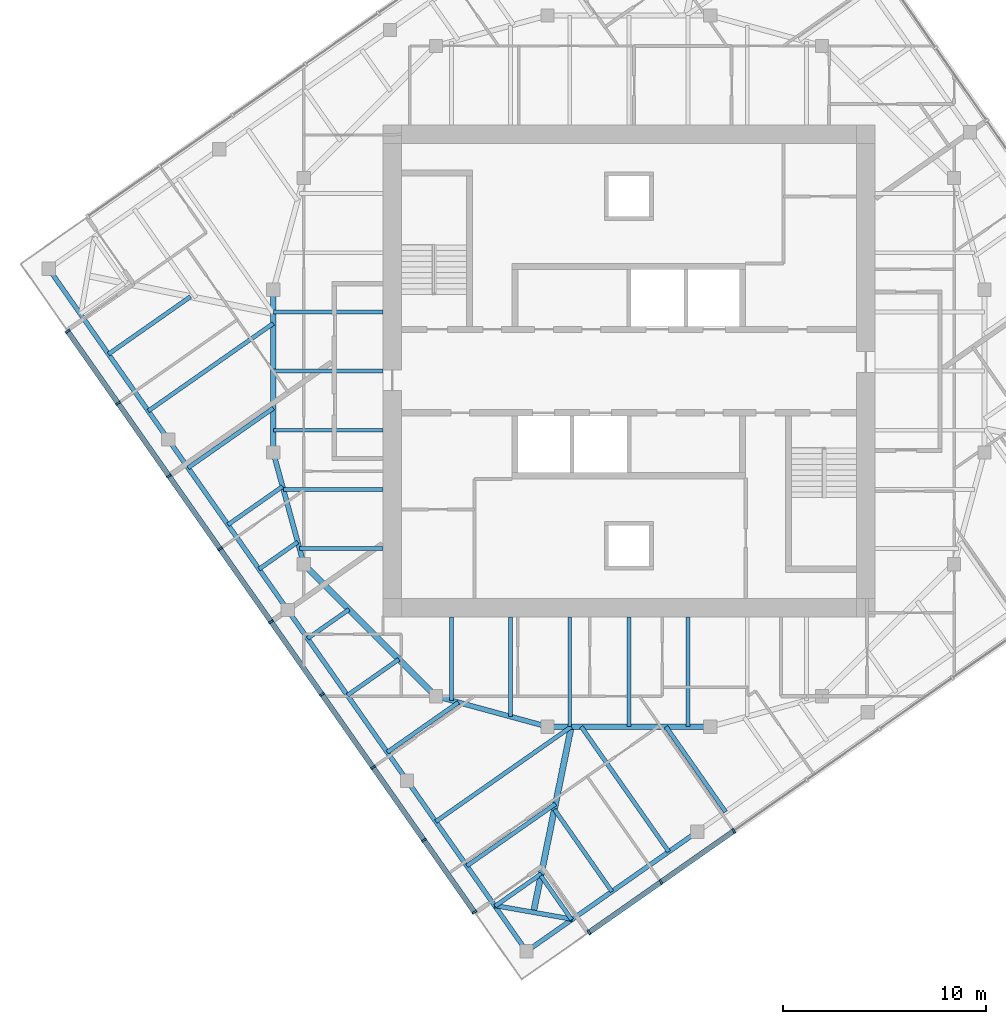
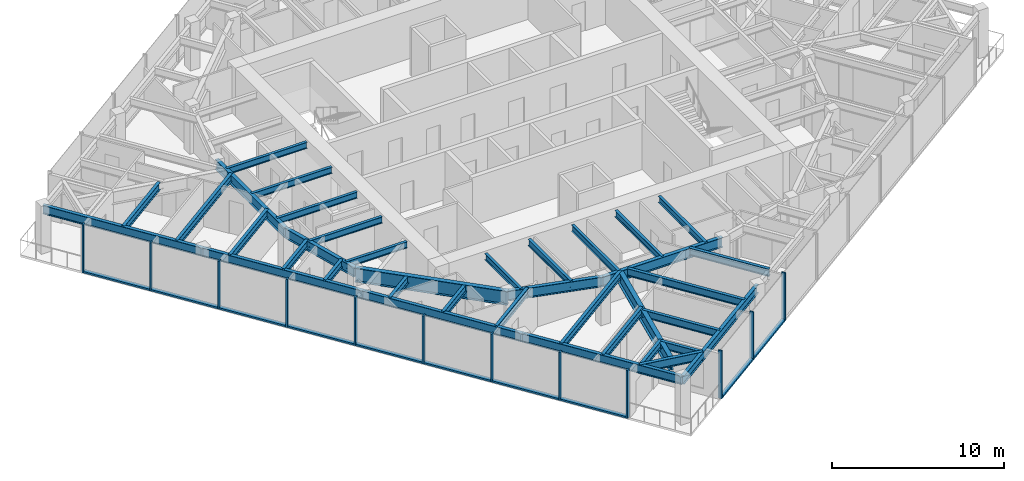
# One storey, part 2 of 12: 37 beams, 22 members, 2 elements without a shape of their own.
"""IFC4 building model written with IfcOpenShell, lengths in metres."""

import ifcopenshell
import ifcopenshell.guid

model = None  # the IFC model being written
_history = None  # IfcOwnerHistory: only IFC2X3 demands one
_inside = {}  # id of a spatial element -> (the spatial element, [elements in it])
_under = {}  # id of a project, library or spatial element -> (it, [spatial elements below it])
_declared = {}  # id of a project -> (the project, [libraries it declares])
_typed = {}  # id of a type object -> (the type object, [elements of that type])
_made_of = {}  # id of a material, layer set ... -> (it, [elements and type objects made of it])


def new_model(schema):
    """Start an empty IFC model of exactly this schema.

    Asked for "IFC4X3", IfcOpenShell would pick the latest addendum, in which some entities
    have other attributes; the version numbers below select the first issue.
    IFC2X3 requires an IfcOwnerHistory on every rooted entity: one is made here for all.
    """
    global model, _history
    if schema == "IFC4X3":
        model = ifcopenshell.file(schema_version=(4, 3, 0, 0))
    else:
        model = ifcopenshell.file(schema=schema)
    _inside.clear()
    _under.clear()
    _declared.clear()
    _typed.clear()
    _made_of.clear()
    _history = None
    if model.schema == "IFC2X3":
        org = make("IfcOrganization", Name="unknown")
        user = make(
            "IfcPersonAndOrganization",
            ThePerson=make("IfcPerson", FamilyName="unknown"),
            TheOrganization=org,
        )
        app = make(
            "IfcApplication",
            ApplicationDeveloper=org,
            Version="unknown",
            ApplicationFullName="unknown",
            ApplicationIdentifier="unknown",
        )
        _history = make(
            "IfcOwnerHistory",
            OwningUser=user,
            OwningApplication=app,
            ChangeAction="ADDED",
            CreationDate=0,
        )
    return model


def make(cls, **values):
    """One entity of the class cls with the attributes given. An attribute that is None is left unset."""
    return model.create_entity(
        cls, **{name: value for name, value in values.items() if value is not None}
    )


def rooted(cls, **values):
    """An entity with a GlobalId (a new one), such as an element, a storey or a relation."""
    return make(cls, GlobalId=ifcopenshell.guid.new(), OwnerHistory=_history, **values)


def si_unit(unit_type, name, prefix=None):
    """IfcSIUnit, for example si_unit("LENGTHUNIT", "METRE", prefix="MILLI")."""
    return make("IfcSIUnit", UnitType=unit_type, Prefix=prefix, Name=name)


def assignment(units):
    """IfcUnitAssignment: the units of a project."""
    return None if units is None else make("IfcUnitAssignment", Units=units)


def point(xyz):
    """IfcCartesianPoint."""
    return None if xyz is None else make("IfcCartesianPoint", Coordinates=xyz)


def direction(xyz):
    """IfcDirection."""
    return None if xyz is None else make("IfcDirection", DirectionRatios=xyz)


def frame(location, z_axis=None, x_axis=None):
    """IfcAxis2Placement3D, a coordinate frame: its origin and axes. An axis left out is left unset."""
    return make(
        "IfcAxis2Placement3D",
        Location=point(location),
        Axis=direction(z_axis),
        RefDirection=direction(x_axis),
    )


def frame_2d(location, x_axis=None):
    """IfcAxis2Placement2D, a coordinate frame in the plane: its origin and x axis."""
    return make(
        "IfcAxis2Placement2D", Location=point(location), RefDirection=direction(x_axis)
    )


def origin():
    """The frame at (0, 0, 0) with its axes left unset."""
    return frame((0.0, 0.0, 0.0))


def origin_2d():
    """The frame at (0, 0) in the plane with its x axis left unset."""
    return frame_2d((0.0, 0.0))


def place(relative_to, where):
    """IfcLocalPlacement: puts the frame where relative to a parent placement (None: the world)."""
    return make(
        "IfcLocalPlacement", PlacementRelTo=relative_to, RelativePlacement=where
    )


def context(
    kind, dimensions, precision=None, world=None, true_north=None, identifier=None
):
    """IfcGeometricRepresentationContext, for example the 3D "Model" context."""
    return make(
        "IfcGeometricRepresentationContext",
        ContextIdentifier=identifier,
        ContextType=kind,
        CoordinateSpaceDimension=dimensions,
        Precision=precision,
        WorldCoordinateSystem=world,
        TrueNorth=true_north,
    )


def subcontext(parent, identifier, kind, view, scale=None):
    """IfcGeometricRepresentationSubContext, for example "Body" below "Model"."""
    return make(
        "IfcGeometricRepresentationSubContext",
        ContextIdentifier=identifier,
        ContextType=kind,
        ParentContext=parent,
        TargetScale=scale,
        TargetView=view,
    )


def project(units=None, contexts=None):
    """IfcProject with its units and contexts."""
    return rooted(
        "IfcProject",
        Name="project",
        RepresentationContexts=contexts,
        UnitsInContext=assignment(units),
    )


def spatial(cls, under=None, at=None, **own):
    """A site, building, storey or space (cls), placed at a placement, below another one or the project."""
    s = rooted(cls, ObjectPlacement=at, **own)
    if under is not None:
        _under.setdefault(under.id(), (under, []))[1].append(s)
    return s


def profile(cls, at=None, kind="AREA", **sizes):
    """A parametric profile (cls). Its sizes go by their IFC names, for example OverallWidth=200.0."""
    return make(cls, ProfileType=kind, Position=at, **sizes)


def rectangle(**sizes):
    """IfcRectangleProfileDef."""
    return profile("IfcRectangleProfileDef", **sizes)


def i_section(**sizes):
    """IfcIShapeProfileDef."""
    return profile("IfcIShapeProfileDef", **sizes)


def extrude(swept, where, along, depth):
    """IfcExtrudedAreaSolid: the profile swept, set in the frame where, extruded along a direction by depth."""
    return make(
        "IfcExtrudedAreaSolid",
        SweptArea=swept,
        Position=where,
        ExtrudedDirection=direction(along),
        Depth=depth,
    )


def shape(context_of_items, identifier, shape_type, items):
    """IfcShapeRepresentation: the items that make up one representation, for example the "Body"."""
    return make(
        "IfcShapeRepresentation",
        ContextOfItems=context_of_items,
        RepresentationIdentifier=identifier,
        RepresentationType=shape_type,
        Items=items,
    )


def material(Name=None, Category=None):
    """IfcMaterial."""
    return make("IfcMaterial", Name=Name, Category=Category)


def material_profile(
    of_material, cross_section, Name=None, Category=None, Priority=None
):
    """IfcMaterialProfile: a cross section and its material."""
    return make(
        "IfcMaterialProfile",
        Name=Name,
        Material=of_material,
        Profile=cross_section,
        Priority=Priority,
        Category=Category,
    )


def profile_set(profiles, Name=None, composite=None):
    """IfcMaterialProfileSet."""
    return make(
        "IfcMaterialProfileSet",
        Name=Name,
        MaterialProfiles=profiles,
        CompositeProfile=composite,
    )


def made_of(thing, what):
    """Note that an element or type object is made of a material, layer set ...; save() writes the relation."""
    if what is not None:
        _made_of.setdefault(what.id(), (what, []))[1].append(thing)
    return thing


def type_object(cls, material=None, **own):
    """A type object (cls), such as IfcWallType, which elements share."""
    return made_of(rooted(cls, **own), material)


def element(
    cls,
    number,
    at=None,
    inside=None,
    cuts=None,
    type_object=None,
    material=None,
    context=None,
    identifier="Body",
    shape_type=None,
    held_by="IfcProductDefinitionShape",
    body=None,
    shapes=None,
    **own,
):
    """One element of the class cls, such as IfcWall. Its Tag is "e" and its number.

    at: its placement. inside: the storey or other place that contains it. cuts: it is an
    opening in that element (IfcRelVoidsElement). A single representation is given by context,
    identifier, shape_type and body (its items); several are given by shapes. held_by: the class
    of the entity that holds the representations. save() writes the other relations.
    """
    e = rooted(cls, Tag="e%d" % number, ObjectPlacement=at, **own)
    if body is not None:
        shapes = [shape(context, identifier, shape_type, body)]
    if shapes is not None:
        e.Representation = make(held_by, Representations=shapes)
    if inside is not None:
        _inside.setdefault(inside.id(), (inside, []))[1].append(e)
    if cuts is not None:
        rooted(
            "IfcRelVoidsElement", RelatingBuildingElement=cuts, RelatedOpeningElement=e
        )
    if type_object is not None:
        _typed.setdefault(type_object.id(), (type_object, []))[1].append(e)
    return made_of(e, material)


def aggregate(whole, parts):
    """IfcRelAggregates: a whole, such as a stair, and the parts it consists of."""
    return rooted("IfcRelAggregates", RelatingObject=whole, RelatedObjects=parts)


def save(model, path):
    """Write the relations noted so far, then the file.

    IfcRelAggregates (storeys below a building ...), IfcRelContainedInSpatialStructure (elements
    in a storey), IfcRelDefinesByType, IfcRelAssociatesMaterial and IfcRelDeclares: one each for
    every whole, place, type object, material and project.
    """
    for whole, parts in _under.values():
        aggregate(whole, parts)
    for where, things in _inside.values():
        rooted(
            "IfcRelContainedInSpatialStructure",
            RelatedElements=things,
            RelatingStructure=where,
        )
    for kind, things in _typed.values():
        rooted("IfcRelDefinesByType", RelatedObjects=things, RelatingType=kind)
    for what, things in _made_of.values():
        rooted("IfcRelAssociatesMaterial", RelatedObjects=things, RelatingMaterial=what)
    for by, libraries in _declared.values():
        rooted("IfcRelDeclares", RelatingContext=by, RelatedDefinitions=libraries)
    model.write(path)


model = new_model("IFC4")

# Units and contexts
model_context = context("Model", 3, precision=1e-05, world=origin(), true_north=direction((0.0, 1.0)))
body_context = subcontext(model_context, "Body", "Model", "MODEL_VIEW")
ifc_project = project(units=[si_unit("LENGTHUNIT", "METRE"), si_unit("AREAUNIT", "SQUARE_METRE"), si_unit("VOLUMEUNIT", "CUBIC_METRE"), si_unit("PLANEANGLEUNIT", "RADIAN"), si_unit("MASSUNIT", "GRAM", prefix="KILO")], contexts=[model_context])

# Site, building, storey
site_placement = place(None, origin())
site = spatial("IfcSite", under=ifc_project, at=site_placement, CompositionType="ELEMENT")
building_placement = place(site_placement, origin())
building = spatial("IfcBuilding", under=site, at=building_placement, Name="Torsade Residences", CompositionType="ELEMENT")
storey_placement = place(building_placement, frame((0.0, 0.0, 250.60009765625)))
storey = spatial("IfcBuildingStorey", under=building, at=storey_placement, Name="L69", CompositionType="ELEMENT", Elevation=250.60009765625)

# Beams
ifc_material_1 = material(Name="Steel grade 300", Category="steel")
ifc_material_profile_1 = material_profile(ifc_material_1, i_section(OverallWidth=0.300048828125, OverallDepth=0.89990234375, WebThickness=0.011962890625, FlangeThickness=0.02490234375, at=origin_2d()), Name="900WB175")
ifc_profile_set_1 = profile_set([ifc_material_profile_1], Name="Steel grade 300")
beam_type_1 = type_object("IfcBeamType", Name="CORNER GIRDER 900WB175", PredefinedType="BEAM", material=ifc_profile_set_1)
beam_1_placement = place(storey_placement, frame((35.303466796875, 3.364013671875, 2.7998046875), z_axis=(0.199584461589, 0.979880626756, 0.0), x_axis=(-0.979880626756, 0.199584461589, 0.0)))
element("IfcBeam", 1, at=beam_1_placement, inside=storey, type_object=beam_type_1, Name="Corner girder 01 L70", PredefinedType="BEAM", context=body_context, shape_type="SweptSolid", body=[
    extrude(i_section(OverallWidth=0.300048828125, OverallDepth=0.89990234375, WebThickness=0.011962890625, FlangeThickness=0.02490234375, at=origin_2d()), origin(), (0.0, 0.0, 1.0), 9.323486328125),
])
ifc_material_2 = material(Name="Steel grade 300", Category="steel")
ifc_material_profile_2 = material_profile(ifc_material_2, i_section(OverallWidth=0.22802734375, OverallDepth=0.60205078125, WebThickness=0.010498046875, FlangeThickness=0.014892578125, FilletRadius=0.013916015625, at=origin_2d()), Name="610UB101")
ifc_profile_set_2 = profile_set([ifc_material_profile_2], Name="Steel grade 300")
beam_type_2 = type_object("IfcBeamType", Name="CORNER TRIMMER 610UB101", PredefinedType="BEAM", material=ifc_profile_set_2)
beam_2_placement = place(storey_placement, frame((37.21826171875, 3.0263671875, 2.948974609375), z_axis=(-0.984808196894, 0.173645660267, 0.0), x_axis=(-0.173645660267, -0.984808196894, 0.0)))
element("IfcBeam", 2, at=beam_2_placement, inside=storey, type_object=beam_type_2, Name="Corner trimmer 01 L70", PredefinedType="BEAM", context=body_context, shape_type="SweptSolid", body=[
    extrude(i_section(OverallWidth=0.22802734375, OverallDepth=0.60205078125, WebThickness=0.010498046875, FlangeThickness=0.014892578125, FilletRadius=0.013916015625, at=origin_2d()), origin(), (0.0, 0.0, 1.0), 3.888916015625),
])
ifc_material_3 = material(Name="Steel grade 300", Category="steel")
ifc_material_profile_3 = material_profile(ifc_material_3, i_section(OverallWidth=0.22900390625, OverallDepth=0.612060546875, WebThickness=0.011962890625, FlangeThickness=0.01953125, FilletRadius=0.013916015625, at=origin_2d()), Name="610UB125")
ifc_profile_set_3 = profile_set([ifc_material_profile_3], Name="Steel grade 300")
beam_type_3 = type_object("IfcBeamType", Name="EDGE BEAM 610UB125", PredefinedType="SPANDREL", material=ifc_profile_set_3)
for number, where, z_axis, x_axis, name in (
    (3, (34.9658203125, 1.448974609375, 2.94384765625), (0.819150225126, 0.573579034377, 0.0), (-0.573579034377, 0.819150225126, 0.0), "Edge beam 01 L70"),
    (4, (11.448974609375, 35.0341796875, 2.94384765625), (0.573579034377, -0.819150225126, 0.0), (0.819150225126, 0.573579034377, 0.0), "Edge beam 13 L70"),
    (5, (17.328125, 26.637939453125, 2.94384765625), (0.573579034377, -0.819150225126, 0.0), (0.819150225126, 0.573579034377, 0.0), "Edge beam 14 L70"),
    (6, (23.207275390625, 18.24169921875, 2.94384765625), (0.573579034377, -0.819150225126, 0.0), (0.819150225126, 0.573579034377, 0.0), "Edge beam 15 L70"),
):
    element("IfcBeam", number, at=place(storey_placement, frame(where, z_axis=z_axis, x_axis=x_axis)), inside=storey, type_object=beam_type_3, Name=name, PredefinedType="SPANDREL", context=body_context, shape_type="SweptSolid", body=[
        extrude(i_section(OverallWidth=0.22900390625, OverallDepth=0.612060546875, WebThickness=0.011962890625, FlangeThickness=0.01953125, FilletRadius=0.013916015625, at=origin_2d()), origin(), (0.0, 0.0, 1.0), 10.25),
    ])
beam_3_placement = place(storey_placement, frame((29.08642578125, 9.845458984375, 2.94384765625), z_axis=(0.573583825578, -0.819146870247, 0.0), x_axis=(0.819146870247, 0.573583825578, 0.0)))
element("IfcBeam", 7, at=beam_3_placement, inside=storey, type_object=beam_type_3, Name="Edge beam 16 L70", PredefinedType="SPANDREL", context=body_context, shape_type="SweptSolid", body=[
    extrude(i_section(OverallWidth=0.22900390625, OverallDepth=0.612060546875, WebThickness=0.011962890625, FlangeThickness=0.01953125, FilletRadius=0.013916015625, at=origin_2d()), origin(), (0.0, 0.0, 1.0), 10.250244140625),
])

# Curtain wall, members
ifc_material_4 = material(Name="Aluminium and glass", Category="aluminium")
curtain_wall_type = type_object("IfcCurtainWallType", Name="FRITTED GLASS CURTAIN WALL HIGH ZONE", PredefinedType="NOTDEFINED", material=ifc_material_4)
curtain_wall_1_placement = place(storey_placement, origin())
curtain_wall_1 = element("IfcCurtainWall", 8, at=curtain_wall_1_placement, inside=storey, type_object=curtain_wall_type, Name="Curtain wall L69 face 1", PredefinedType="NOTDEFINED")
ifc_material_5 = material(Name="Aluminium mullion", Category="aluminium")
ifc_material_profile_4 = material_profile(ifc_material_5, rectangle(XDim=0.25, YDim=0.10009765625, at=origin_2d()), Name="HIGH ZONE CURTAIN WALL MULLION 250x100")
ifc_profile_set_4 = profile_set([ifc_material_profile_4], Name="Aluminium mullion")
member_type_1 = type_object("IfcMemberType", Name="HIGH ZONE CURTAIN WALL MULLION 250x100", PredefinedType="MULLION", material=ifc_profile_set_4)
member_1_placement = place(storey_placement, frame((38.03759765625, 2.37939453125, 0.0), z_axis=(0.0, 0.0, 1.0), x_axis=(-0.573576457682, 0.819152029353, 0.0)))
member_1 = element("IfcMember", 9, at=member_1_placement, type_object=member_type_1, Name="Mullion 1", PredefinedType="MULLION", context=body_context, shape_type="SweptSolid", body=[
    extrude(rectangle(XDim=0.25, YDim=0.10009765625, at=origin_2d()), origin(), (0.0, 0.0, 1.0), 3.39990234375),
])
member_2_placement = place(storey_placement, frame((41.58056640625, 4.860107421875, 0.0), z_axis=(0.0, 0.0, 1.0), x_axis=(-0.573576457682, 0.819152029353, 0.0)))
member_2 = element("IfcMember", 10, at=member_2_placement, type_object=member_type_1, Name="Mullion 2", PredefinedType="MULLION", context=body_context, shape_type="SweptSolid", body=[
    extrude(rectangle(XDim=0.25, YDim=0.10009765625, at=origin_2d()), origin(), (0.0, 0.0, 1.0), 3.39990234375),
])
member_3_placement = place(storey_placement, frame((45.164306640625, 7.369384765625, 0.0), z_axis=(0.0, 0.0, 1.0), x_axis=(-0.573576457682, 0.819152029353, 0.0)))
member_3 = element("IfcMember", 11, at=member_3_placement, type_object=member_type_1, Name="Mullion 3", PredefinedType="MULLION", context=body_context, shape_type="SweptSolid", body=[
    extrude(rectangle(XDim=0.25, YDim=0.10009765625, at=origin_2d()), origin(), (0.0, 0.0, 1.0), 3.39990234375),
])

curtain_wall_2_placement = place(storey_placement, origin())
curtain_wall_2 = element("IfcCurtainWall", 12, at=curtain_wall_2_placement, inside=storey, type_object=curtain_wall_type, Name="Curtain wall L69 face 10", PredefinedType="NOTDEFINED")
member_4_placement = place(storey_placement, frame((12.37939453125, 31.96240234375, 0.0), z_axis=(0.0, 0.0, 1.0), x_axis=(0.819152029353, 0.573576457682, 0.0)))
member_4 = element("IfcMember", 13, at=member_4_placement, type_object=member_type_1, Name="Mullion 1", PredefinedType="MULLION", context=body_context, shape_type="SweptSolid", body=[
    extrude(rectangle(XDim=0.25, YDim=0.10009765625, at=origin_2d()), origin(), (0.0, 0.0, 1.0), 3.39990234375),
])
member_5_placement = place(storey_placement, frame((14.860107421875, 28.41943359375, 0.0), z_axis=(0.0, 0.0, 1.0), x_axis=(0.819152029353, 0.573576457682, 0.0)))
member_5 = element("IfcMember", 14, at=member_5_placement, type_object=member_type_1, Name="Mullion 2", PredefinedType="MULLION", context=body_context, shape_type="SweptSolid", body=[
    extrude(rectangle(XDim=0.25, YDim=0.10009765625, at=origin_2d()), origin(), (0.0, 0.0, 1.0), 3.39990234375),
])
member_6_placement = place(storey_placement, frame((17.369384765625, 24.835693359375, 0.0), z_axis=(0.0, 0.0, 1.0), x_axis=(0.819152029353, 0.573576457682, 0.0)))
member_6 = element("IfcMember", 15, at=member_6_placement, type_object=member_type_1, Name="Mullion 3", PredefinedType="MULLION", context=body_context, shape_type="SweptSolid", body=[
    extrude(rectangle(XDim=0.25, YDim=0.10009765625, at=origin_2d()), origin(), (0.0, 0.0, 1.0), 3.39990234375),
])
member_7_placement = place(storey_placement, frame((19.87890625, 21.251953125, 0.0), z_axis=(0.0, 0.0, 1.0), x_axis=(0.819152029353, 0.573576457682, 0.0)))
member_7 = element("IfcMember", 16, at=member_7_placement, type_object=member_type_1, Name="Mullion 4", PredefinedType="MULLION", context=body_context, shape_type="SweptSolid", body=[
    extrude(rectangle(XDim=0.25, YDim=0.10009765625, at=origin_2d()), origin(), (0.0, 0.0, 1.0), 3.39990234375),
])
member_8_placement = place(storey_placement, frame((22.38818359375, 17.668212890625, 0.0), z_axis=(0.0, 0.0, 1.0), x_axis=(0.819152029353, 0.573576457682, 0.0)))
member_8 = element("IfcMember", 17, at=member_8_placement, type_object=member_type_1, Name="Mullion 5", PredefinedType="MULLION", context=body_context, shape_type="SweptSolid", body=[
    extrude(rectangle(XDim=0.25, YDim=0.10009765625, at=origin_2d()), origin(), (0.0, 0.0, 1.0), 3.39990234375),
])
member_9_placement = place(storey_placement, frame((24.897705078125, 14.084228515625, 0.0), z_axis=(0.0, 0.0, 1.0), x_axis=(0.819152029353, 0.573576457682, 0.0)))
member_9 = element("IfcMember", 18, at=member_9_placement, type_object=member_type_1, Name="Mullion 6", PredefinedType="MULLION", context=body_context, shape_type="SweptSolid", body=[
    extrude(rectangle(XDim=0.25, YDim=0.10009765625, at=origin_2d()), origin(), (0.0, 0.0, 1.0), 3.39990234375),
])
member_10_placement = place(storey_placement, frame((27.406982421875, 10.50048828125, 0.0), z_axis=(0.0, 0.0, 1.0), x_axis=(0.819152029353, 0.573576457682, 0.0)))
member_10 = element("IfcMember", 19, at=member_10_placement, type_object=member_type_1, Name="Mullion 7", PredefinedType="MULLION", context=body_context, shape_type="SweptSolid", body=[
    extrude(rectangle(XDim=0.25, YDim=0.10009765625, at=origin_2d()), origin(), (0.0, 0.0, 1.0), 3.39990234375),
])
member_11_placement = place(storey_placement, frame((29.91650390625, 6.916748046875, 0.0), z_axis=(0.0, 0.0, 1.0), x_axis=(0.819152029353, 0.573576457682, 0.0)))
member_11 = element("IfcMember", 20, at=member_11_placement, type_object=member_type_1, Name="Mullion 8", PredefinedType="MULLION", context=body_context, shape_type="SweptSolid", body=[
    extrude(rectangle(XDim=0.25, YDim=0.10009765625, at=origin_2d()), origin(), (0.0, 0.0, 1.0), 3.39990234375),
])
member_12_placement = place(storey_placement, frame((32.397216796875, 3.3740234375, 0.0), z_axis=(0.0, 0.0, 1.0), x_axis=(0.819152029353, 0.573576457682, 0.0)))
member_12 = element("IfcMember", 21, at=member_12_placement, type_object=member_type_1, Name="Mullion 9", PredefinedType="MULLION", context=body_context, shape_type="SweptSolid", body=[
    extrude(rectangle(XDim=0.25, YDim=0.10009765625, at=origin_2d()), origin(), (0.0, 0.0, 1.0), 3.39990234375),
])

# Member
ifc_material_6 = material(Name="Aluminium transom", Category="aluminium")
ifc_material_profile_5 = material_profile(ifc_material_6, rectangle(XDim=0.25, YDim=0.1201171875, at=origin_2d()), Name="HIGH ZONE CURTAIN WALL TRANSOM 250x120")
ifc_profile_set_5 = profile_set([ifc_material_profile_5], Name="Aluminium transom")
member_type_2 = type_object("IfcMemberType", Name="HIGH ZONE CURTAIN WALL TRANSOM 250x120", PredefinedType="USERDEFINED", material=ifc_profile_set_5)
member_13_placement = place(storey_placement, frame((38.07861328125, 2.407958984375, 0.059814453125), z_axis=(0.819155901234, 0.573570928023, 0.0), x_axis=(-0.573570928023, 0.819155901234, 0.0)))
member_13 = element("IfcMember", 22, at=member_13_placement, type_object=member_type_2, Name="Transom 1.1", ObjectType="TRANSOM", PredefinedType="USERDEFINED", context=body_context, shape_type="SweptSolid", body=[
    extrude(rectangle(XDim=0.25, YDim=0.1201171875, at=origin_2d()), origin(), (0.0, 0.0, 1.0), 4.22509765625),
])

member_14_placement = place(storey_placement, frame((41.62158203125, 4.888671875, 0.059814453125), z_axis=(0.819127269283, 0.573611817101, 0.0), x_axis=(-0.573611817101, 0.819127269283, 0.0)))
member_14 = element("IfcMember", 23, at=member_14_placement, type_object=member_type_2, Name="Transom 2.1", ObjectType="TRANSOM", PredefinedType="USERDEFINED", context=body_context, shape_type="SweptSolid", body=[
    extrude(rectangle(XDim=0.25, YDim=0.1201171875, at=origin_2d()), origin(), (0.0, 0.0, 1.0), 4.27490234375),
])

aggregate(curtain_wall_1, [member_1, member_2, member_3, member_13, member_14])

member_15_placement = place(storey_placement, frame((12.407958984375, 31.92138671875, 0.059814453125), z_axis=(0.573570928023, -0.819155901234, 0.0), x_axis=(0.819155901234, 0.573570928023, 0.0)))
member_15 = element("IfcMember", 24, at=member_15_placement, type_object=member_type_2, Name="Transom 1.1", ObjectType="TRANSOM", PredefinedType="USERDEFINED", context=body_context, shape_type="SweptSolid", body=[
    extrude(rectangle(XDim=0.25, YDim=0.1201171875, at=origin_2d()), origin(), (0.0, 0.0, 1.0), 4.22509765625),
])

member_16_placement = place(storey_placement, frame((14.888671875, 28.37841796875, 0.059814453125), z_axis=(0.573611817101, -0.819127269283, 0.0), x_axis=(0.819127269283, 0.573611817101, 0.0)))
member_16 = element("IfcMember", 25, at=member_16_placement, type_object=member_type_2, Name="Transom 2.1", ObjectType="TRANSOM", PredefinedType="USERDEFINED", context=body_context, shape_type="SweptSolid", body=[
    extrude(rectangle(XDim=0.25, YDim=0.1201171875, at=origin_2d()), origin(), (0.0, 0.0, 1.0), 4.27490234375),
])

member_17_placement = place(storey_placement, frame((17.398193359375, 24.794677734375, 0.059814453125), z_axis=(0.573573496219, -0.819154102984, 0.0), x_axis=(0.819154102984, 0.573573496219, 0.0)))
member_17 = element("IfcMember", 26, at=member_17_placement, type_object=member_type_2, Name="Transom 3.1", ObjectType="TRANSOM", PredefinedType="USERDEFINED", context=body_context, shape_type="SweptSolid", body=[
    extrude(rectangle(XDim=0.25, YDim=0.1201171875, at=origin_2d()), origin(), (0.0, 0.0, 1.0), 4.27490234375),
])

member_18_placement = place(storey_placement, frame((19.907470703125, 21.2109375, 0.059814453125), z_axis=(0.57358498433, -0.819146058863, 0.0), x_axis=(0.819146058863, 0.57358498433, 0.0)))
member_18 = element("IfcMember", 27, at=member_18_placement, type_object=member_type_2, Name="Transom 4.1", ObjectType="TRANSOM", PredefinedType="USERDEFINED", context=body_context, shape_type="SweptSolid", body=[
    extrude(rectangle(XDim=0.25, YDim=0.1201171875, at=origin_2d()), origin(), (0.0, 0.0, 1.0), 4.275146484375),
])

member_19_placement = place(storey_placement, frame((22.4169921875, 17.627197265625, 0.059814453125), z_axis=(0.573546663483, -0.81917289067, 0.0), x_axis=(0.81917289067, 0.573546663483, 0.0)))
member_19 = element("IfcMember", 28, at=member_19_placement, type_object=member_type_2, Name="Transom 5.1", ObjectType="TRANSOM", PredefinedType="USERDEFINED", context=body_context, shape_type="SweptSolid", body=[
    extrude(rectangle(XDim=0.25, YDim=0.1201171875, at=origin_2d()), origin(), (0.0, 0.0, 1.0), 4.27490234375),
])

member_20_placement = place(storey_placement, frame((24.92626953125, 14.04345703125, 0.059814453125), z_axis=(0.57358498433, -0.819146058863, 0.0), x_axis=(0.819146058863, 0.57358498433, 0.0)))
member_20 = element("IfcMember", 29, at=member_20_placement, type_object=member_type_2, Name="Transom 6.1", ObjectType="TRANSOM", PredefinedType="USERDEFINED", context=body_context, shape_type="SweptSolid", body=[
    extrude(rectangle(XDim=0.25, YDim=0.1201171875, at=origin_2d()), origin(), (0.0, 0.0, 1.0), 4.275146484375),
])

member_21_placement = place(storey_placement, frame((27.435791015625, 10.45947265625, 0.059814453125), z_axis=(0.573573496219, -0.819154102984, 0.0), x_axis=(0.819154102984, 0.573573496219, 0.0)))
member_21 = element("IfcMember", 30, at=member_21_placement, type_object=member_type_2, Name="Transom 7.1", ObjectType="TRANSOM", PredefinedType="USERDEFINED", context=body_context, shape_type="SweptSolid", body=[
    extrude(rectangle(XDim=0.25, YDim=0.1201171875, at=origin_2d()), origin(), (0.0, 0.0, 1.0), 4.27490234375),
])

member_22_placement = place(storey_placement, frame((29.945068359375, 6.875732421875, 0.059814453125), z_axis=(0.573570928023, -0.819155901234, 0.0), x_axis=(0.819155901234, 0.573570928023, 0.0)))
member_22 = element("IfcMember", 31, at=member_22_placement, type_object=member_type_2, Name="Transom 8.1", ObjectType="TRANSOM", PredefinedType="USERDEFINED", context=body_context, shape_type="SweptSolid", body=[
    extrude(rectangle(XDim=0.25, YDim=0.1201171875, at=origin_2d()), origin(), (0.0, 0.0, 1.0), 4.22509765625),
])

aggregate(curtain_wall_2, [member_4, member_5, member_6, member_7, member_8, member_9, member_10, member_11, member_12, member_15, member_16, member_17, member_18, member_19, member_20, member_21, member_22])

# Beams
ifc_material_7 = material(Name="Steel grade 300", Category="steel")
ifc_material_profile_6 = material_profile(ifc_material_7, i_section(OverallWidth=0.18994140625, OverallDepth=0.4541015625, WebThickness=0.008544921875, FlangeThickness=0.0126953125, FilletRadius=0.011474609375, at=origin_2d()), Name="460UB67.1")
ifc_profile_set_6 = profile_set([ifc_material_profile_6], Name="Steel grade 300")
beam_type_4 = type_object("IfcBeamType", Name="INNER FLOOR BEAM 460UB67.1", PredefinedType="JOIST", material=ifc_profile_set_6)
for number, where, z_axis, x_axis, name in (
    (32, (42.91259765625, 17.89990234375, 3.02294921875), (0.0, -1.0, 0.0), (1.0, 0.0, 0.0), "Inner floor beam IS03 L70"),
    (33, (40.0, 17.89990234375, 3.02294921875), (0.0, -1.0, 0.0), (1.0, 0.0, 0.0), "Inner floor beam IS04 L70"),
    (34, (37.08740234375, 17.89990234375, 3.02294921875), (0.0, -1.0, 0.0), (1.0, 0.0, 0.0), "Inner floor beam IS05 L70"),
):
    element("IfcBeam", number, at=place(storey_placement, frame(where, z_axis=z_axis, x_axis=x_axis)), inside=storey, type_object=beam_type_4, Name=name, PredefinedType="JOIST", context=body_context, shape_type="SweptSolid", body=[
        extrude(i_section(OverallWidth=0.18994140625, OverallDepth=0.4541015625, WebThickness=0.008544921875, FlangeThickness=0.0126953125, FilletRadius=0.011474609375, at=origin_2d()), origin(), (0.0, 0.0, 1.0), 5.39990234375),
    ])
beam_4_placement = place(storey_placement, frame((34.175048828125, 17.89990234375, 3.02294921875), z_axis=(0.0, -1.0, 0.0), x_axis=(1.0, 0.0, 0.0)))
element("IfcBeam", 35, at=beam_4_placement, inside=storey, type_object=beam_type_4, Name="Inner floor beam IS06 L70", PredefinedType="JOIST", context=body_context, shape_type="SweptSolid", body=[
    extrude(i_section(OverallWidth=0.18994140625, OverallDepth=0.4541015625, WebThickness=0.008544921875, FlangeThickness=0.0126953125, FilletRadius=0.011474609375, at=origin_2d()), origin(), (0.0, 0.0, 1.0), 4.902099609375),
])
beam_5_placement = place(storey_placement, frame((31.262451171875, 17.89990234375, 3.02294921875), z_axis=(0.0, -1.0, 0.0), x_axis=(1.0, 0.0, 0.0)))
element("IfcBeam", 36, at=beam_5_placement, inside=storey, type_object=beam_type_4, Name="Inner floor beam IS07 L70", PredefinedType="JOIST", context=body_context, shape_type="SweptSolid", body=[
    extrude(i_section(OverallWidth=0.18994140625, OverallDepth=0.4541015625, WebThickness=0.008544921875, FlangeThickness=0.0126953125, FilletRadius=0.011474609375, at=origin_2d()), origin(), (0.0, 0.0, 1.0), 4.10791015625),
])
for number, where, z_axis, x_axis, name in (
    (37, (27.89990234375, 32.91259765625, 3.02294921875), (-1.0, 0.0, 0.0), (0.0, -1.0, 0.0), "Inner floor beam IW03 L70"),
    (38, (27.89990234375, 30.0, 3.02294921875), (-1.0, 0.0, 0.0), (0.0, -1.0, 0.0), "Inner floor beam IW04 L70"),
    (39, (27.89990234375, 27.08740234375, 3.02294921875), (-1.0, 0.0, 0.0), (0.0, -1.0, 0.0), "Inner floor beam IW05 L70"),
):
    element("IfcBeam", number, at=place(storey_placement, frame(where, z_axis=z_axis, x_axis=x_axis)), inside=storey, type_object=beam_type_4, Name=name, PredefinedType="JOIST", context=body_context, shape_type="SweptSolid", body=[
        extrude(i_section(OverallWidth=0.18994140625, OverallDepth=0.4541015625, WebThickness=0.008544921875, FlangeThickness=0.0126953125, FilletRadius=0.011474609375, at=origin_2d()), origin(), (0.0, 0.0, 1.0), 5.39990234375),
    ])
beam_6_placement = place(storey_placement, frame((27.89990234375, 24.175048828125, 3.02294921875), z_axis=(-1.0, 0.0, 0.0), x_axis=(0.0, -1.0, 0.0)))
element("IfcBeam", 40, at=beam_6_placement, inside=storey, type_object=beam_type_4, Name="Inner floor beam IW06 L70", PredefinedType="JOIST", context=body_context, shape_type="SweptSolid", body=[
    extrude(i_section(OverallWidth=0.18994140625, OverallDepth=0.4541015625, WebThickness=0.008544921875, FlangeThickness=0.0126953125, FilletRadius=0.011474609375, at=origin_2d()), origin(), (0.0, 0.0, 1.0), 4.902099609375),
])
beam_7_placement = place(storey_placement, frame((27.89990234375, 21.262451171875, 3.02294921875), z_axis=(-1.0, 0.0, 0.0), x_axis=(0.0, -1.0, 0.0)))
element("IfcBeam", 41, at=beam_7_placement, inside=storey, type_object=beam_type_4, Name="Inner floor beam IW07 L70", PredefinedType="JOIST", context=body_context, shape_type="SweptSolid", body=[
    extrude(i_section(OverallWidth=0.18994140625, OverallDepth=0.4541015625, WebThickness=0.008544921875, FlangeThickness=0.0126953125, FilletRadius=0.011474609375, at=origin_2d()), origin(), (0.0, 0.0, 1.0), 4.10791015625),
])
ifc_material_8 = material(Name="Steel grade 300", Category="steel")
ifc_material_profile_7 = material_profile(ifc_material_8, i_section(OverallWidth=0.300048828125, OverallDepth=1.0, WebThickness=0.01611328125, FlangeThickness=0.028076171875, at=origin_2d()), Name="1000WB215")
ifc_profile_set_7 = profile_set([ifc_material_profile_7], Name="Steel grade 300")
beam_type_5 = type_object("IfcBeamType", Name="RING CORNER GIRDER 1000WB215", PredefinedType="BEAM", material=ifc_profile_set_7)
beam_8_placement = place(storey_placement, frame((24.0, 20.5, 2.75), z_axis=(0.707106781187, -0.707106781187, 0.0), x_axis=(0.707106781187, 0.707106781187, 0.0)))
element("IfcBeam", 42, at=beam_8_placement, inside=storey, type_object=beam_type_5, Name="Ring girder IR11 L70", PredefinedType="BEAM", context=body_context, shape_type="SweptSolid", body=[
    extrude(i_section(OverallWidth=0.300048828125, OverallDepth=1.0, WebThickness=0.01611328125, FlangeThickness=0.028076171875, at=origin_2d()), origin(), (0.0, 0.0, 1.0), 9.1923828125),
])
ifc_material_9 = material(Name="Steel grade 300", Category="steel")
ifc_material_profile_8 = material_profile(ifc_material_9, i_section(OverallWidth=0.25, OverallDepth=0.699951171875, WebThickness=0.010009765625, FlangeThickness=0.02001953125, at=origin_2d()), Name="700WB130")
ifc_profile_set_8 = profile_set([ifc_material_profile_8], Name="Steel grade 300")
beam_type_6 = type_object("IfcBeamType", Name="RING GIRDER 700WB130", PredefinedType="BEAM", material=ifc_profile_set_8)
beam_9_placement = place(storey_placement, frame((22.5, 34.0, 2.89990234375), z_axis=(0.0, -1.0, 0.0), x_axis=(1.0, 0.0, 0.0)))
element("IfcBeam", 43, at=beam_9_placement, inside=storey, type_object=beam_type_6, Name="Ring girder IR09 L70", PredefinedType="BEAM", context=body_context, shape_type="SweptSolid", body=[
    extrude(i_section(OverallWidth=0.25, OverallDepth=0.699951171875, WebThickness=0.010009765625, FlangeThickness=0.02001953125, at=origin_2d()), origin(), (0.0, 0.0, 1.0), 8.0),
])
for number, where, z_axis, x_axis, name in (
    (44, (22.5, 26.0, 2.89990234375), (0.263117405792, -0.964763821238, 0.0), (0.964763821238, 0.263117405792, 0.0), "Ring girder IR10 L70"),
    (45, (30.5, 14.0, 2.89990234375), (0.964763821238, -0.263117405792, 0.0), (0.263117405792, 0.964763821238, 0.0), "Ring girder IR12 L70"),
):
    element("IfcBeam", number, at=place(storey_placement, frame(where, z_axis=z_axis, x_axis=x_axis)), inside=storey, type_object=beam_type_6, Name=name, PredefinedType="BEAM", context=body_context, shape_type="SweptSolid", body=[
        extrude(i_section(OverallWidth=0.25, OverallDepth=0.699951171875, WebThickness=0.010009765625, FlangeThickness=0.02001953125, at=origin_2d()), origin(), (0.0, 0.0, 1.0), 5.700927734375),
    ])
beam_10_placement = place(storey_placement, frame((36.0, 12.5, 2.89990234375), z_axis=(1.0, 0.0, 0.0), x_axis=(0.0, 1.0, 0.0)))
element("IfcBeam", 46, at=beam_10_placement, inside=storey, type_object=beam_type_6, Name="Ring girder IR13 L70", PredefinedType="BEAM", context=body_context, shape_type="SweptSolid", body=[
    extrude(i_section(OverallWidth=0.25, OverallDepth=0.699951171875, WebThickness=0.010009765625, FlangeThickness=0.02001953125, at=origin_2d()), origin(), (0.0, 0.0, 1.0), 8.0),
])
ifc_material_10 = material(Name="Steel grade 300", Category="steel")
ifc_material_profile_9 = material_profile(ifc_material_10, i_section(OverallWidth=0.208984375, OverallDepth=0.532958984375, WebThickness=0.01025390625, FlangeThickness=0.015625, FilletRadius=0.013916015625, at=origin_2d()), Name="530UB92.4")
ifc_profile_set_9 = profile_set([ifc_material_profile_9], Name="Steel grade 300")
beam_type_7 = type_object("IfcBeamType", Name="SECONDARY BEAM 530UB92.4", PredefinedType="JOIST", material=ifc_profile_set_9)
beam_11_placement = place(storey_placement, frame((37.184326171875, 3.00244140625, 2.9833984375), z_axis=(-0.573592685254, 0.819140666445, 0.0), x_axis=(-0.819140666445, -0.573592685254, 0.0)))
element("IfcBeam", 47, at=beam_11_placement, inside=storey, type_object=beam_type_7, Name="Floor beam FS01 L70", PredefinedType="JOIST", context=body_context, shape_type="SweptSolid", body=[
    extrude(i_section(OverallWidth=0.208984375, OverallDepth=0.532958984375, WebThickness=0.01025390625, FlangeThickness=0.015625, FilletRadius=0.013916015625, at=origin_2d()), origin(), (0.0, 0.0, 1.0), 2.639892578125),
])
beam_12_placement = place(storey_placement, frame((39.163818359375, 4.388671875, 2.9833984375), z_axis=(-0.573575295634, 0.819152843027, 0.0), x_axis=(-0.819152843027, -0.573575295634, 0.0)))
element("IfcBeam", 48, at=beam_12_placement, inside=storey, type_object=beam_type_7, Name="Floor beam FS02 L70", PredefinedType="JOIST", context=body_context, shape_type="SweptSolid", body=[
    extrude(i_section(OverallWidth=0.208984375, OverallDepth=0.532958984375, WebThickness=0.01025390625, FlangeThickness=0.015625, FilletRadius=0.013916015625, at=origin_2d()), origin(), (0.0, 0.0, 1.0), 4.931884765625),
])
beam_13_placement = place(storey_placement, frame((41.962646484375, 6.348388671875, 2.9833984375), z_axis=(-0.573573614851, 0.819154019917, 0.0), x_axis=(-0.819154019917, -0.573573614851, 0.0)))
element("IfcBeam", 49, at=beam_13_placement, inside=storey, type_object=beam_type_7, Name="Floor beam FS03 L70", PredefinedType="JOIST", context=body_context, shape_type="SweptSolid", body=[
    extrude(i_section(OverallWidth=0.208984375, OverallDepth=0.532958984375, WebThickness=0.01025390625, FlangeThickness=0.015625, FilletRadius=0.013916015625, at=origin_2d()), origin(), (0.0, 0.0, 1.0), 7.509765625),
])
beam_14_placement = place(storey_placement, frame((44.761474609375, 8.30810546875, 2.9833984375), z_axis=(-0.573590411882, 0.819142258339, 0.0), x_axis=(-0.819142258339, -0.573590411882, 0.0)))
element("IfcBeam", 50, at=beam_14_placement, inside=storey, type_object=beam_type_7, Name="Floor beam FS04 L70", PredefinedType="JOIST", context=body_context, shape_type="SweptSolid", body=[
    extrude(i_section(OverallWidth=0.208984375, OverallDepth=0.532958984375, WebThickness=0.01025390625, FlangeThickness=0.015625, FilletRadius=0.013916015625, at=origin_2d()), origin(), (0.0, 0.0, 1.0), 5.117431640625),
])
beam_15_placement = place(storey_placement, frame((14.388671875, 30.836181640625, 2.9833984375), z_axis=(0.819152843027, 0.573575295634, 0.0), x_axis=(-0.573575295634, 0.819152843027, 0.0)))
element("IfcBeam", 51, at=beam_15_placement, inside=storey, type_object=beam_type_7, Name="Floor beam FW02 L70", PredefinedType="JOIST", context=body_context, shape_type="SweptSolid", body=[
    extrude(i_section(OverallWidth=0.208984375, OverallDepth=0.532958984375, WebThickness=0.01025390625, FlangeThickness=0.015625, FilletRadius=0.013916015625, at=origin_2d()), origin(), (0.0, 0.0, 1.0), 4.931884765625),
])
beam_16_placement = place(storey_placement, frame((16.348388671875, 28.037353515625, 2.9833984375), z_axis=(0.819154019917, 0.573573614851, 0.0), x_axis=(-0.573573614851, 0.819154019917, 0.0)))
element("IfcBeam", 52, at=beam_16_placement, inside=storey, type_object=beam_type_7, Name="Floor beam FW03 L70", PredefinedType="JOIST", context=body_context, shape_type="SweptSolid", body=[
    extrude(i_section(OverallWidth=0.208984375, OverallDepth=0.532958984375, WebThickness=0.01025390625, FlangeThickness=0.015625, FilletRadius=0.013916015625, at=origin_2d()), origin(), (0.0, 0.0, 1.0), 7.509765625),
])
beam_17_placement = place(storey_placement, frame((18.30810546875, 25.238525390625, 2.9833984375), z_axis=(0.819142258339, 0.573590411882, 0.0), x_axis=(-0.573590411882, 0.819142258339, 0.0)))
element("IfcBeam", 53, at=beam_17_placement, inside=storey, type_object=beam_type_7, Name="Floor beam FW04 L70", PredefinedType="JOIST", context=body_context, shape_type="SweptSolid", body=[
    extrude(i_section(OverallWidth=0.208984375, OverallDepth=0.532958984375, WebThickness=0.01025390625, FlangeThickness=0.015625, FilletRadius=0.013916015625, at=origin_2d()), origin(), (0.0, 0.0, 1.0), 5.117431640625),
])
beam_18_placement = place(storey_placement, frame((20.267822265625, 22.43994140625, 2.9833984375), z_axis=(0.819169032504, 0.573552173902, 0.0), x_axis=(-0.573552173902, 0.819169032504, 0.0)))
element("IfcBeam", 54, at=beam_18_placement, inside=storey, type_object=beam_type_7, Name="Floor beam FW05 L70", PredefinedType="JOIST", context=body_context, shape_type="SweptSolid", body=[
    extrude(i_section(OverallWidth=0.208984375, OverallDepth=0.532958984375, WebThickness=0.01025390625, FlangeThickness=0.015625, FilletRadius=0.013916015625, at=origin_2d()), origin(), (0.0, 0.0, 1.0), 3.283203125),
])
beam_19_placement = place(storey_placement, frame((21.79736328125, 20.25537109375, 2.9833984375), z_axis=(0.819157953557, 0.573567996949, 0.0), x_axis=(-0.573567996949, 0.819157953557, 0.0)))
element("IfcBeam", 55, at=beam_19_placement, inside=storey, type_object=beam_type_7, Name="Floor beam FW06 L70", PredefinedType="JOIST", context=body_context, shape_type="SweptSolid", body=[
    extrude(i_section(OverallWidth=0.208984375, OverallDepth=0.532958984375, WebThickness=0.01025390625, FlangeThickness=0.015625, FilletRadius=0.013916015625, at=origin_2d()), origin(), (0.0, 0.0, 1.0), 2.326171875),
])
beam_20_placement = place(storey_placement, frame((24.187255859375, 16.84228515625, 2.9833984375), z_axis=(0.819172078752, 0.573547823109, 0.0), x_axis=(-0.573547823109, 0.819172078752, 0.0)))
element("IfcBeam", 56, at=beam_20_placement, inside=storey, type_object=beam_type_7, Name="Floor beam FW07 L70", PredefinedType="JOIST", context=body_context, shape_type="SweptSolid", body=[
    extrude(i_section(OverallWidth=0.208984375, OverallDepth=0.532958984375, WebThickness=0.01025390625, FlangeThickness=0.015625, FilletRadius=0.013916015625, at=origin_2d()), origin(), (0.0, 0.0, 1.0), 2.491943359375),
])
beam_21_placement = place(storey_placement, frame((26.14697265625, 14.04345703125, 2.9833984375), z_axis=(0.819135534955, 0.573600013401, 0.0), x_axis=(-0.573600013401, 0.819135534955, 0.0)))
element("IfcBeam", 57, at=beam_21_placement, inside=storey, type_object=beam_type_7, Name="Floor beam FW08 L70", PredefinedType="JOIST", context=body_context, shape_type="SweptSolid", body=[
    extrude(i_section(OverallWidth=0.208984375, OverallDepth=0.532958984375, WebThickness=0.01025390625, FlangeThickness=0.015625, FilletRadius=0.013916015625, at=origin_2d()), origin(), (0.0, 0.0, 1.0), 3.09423828125),
])
beam_22_placement = place(storey_placement, frame((28.106689453125, 11.244873046875, 2.9833984375), z_axis=(0.819148759439, 0.573581127575, 0.0), x_axis=(-0.573581127575, 0.819148759439, 0.0)))
element("IfcBeam", 58, at=beam_22_placement, inside=storey, type_object=beam_type_7, Name="Floor beam FW09 L70", PredefinedType="JOIST", context=body_context, shape_type="SweptSolid", body=[
    extrude(i_section(OverallWidth=0.208984375, OverallDepth=0.532958984375, WebThickness=0.01025390625, FlangeThickness=0.015625, FilletRadius=0.013916015625, at=origin_2d()), origin(), (0.0, 0.0, 1.0), 4.276123046875),
])
beam_23_placement = place(storey_placement, frame((30.49658203125, 7.83154296875, 2.9833984375), z_axis=(0.819151588523, 0.573577087251, 0.0), x_axis=(-0.573577087251, 0.819151588523, 0.0)))
element("IfcBeam", 59, at=beam_23_placement, inside=storey, type_object=beam_type_7, Name="Floor beam FW10 L70", PredefinedType="JOIST", context=body_context, shape_type="SweptSolid", body=[
    extrude(i_section(OverallWidth=0.208984375, OverallDepth=0.532958984375, WebThickness=0.01025390625, FlangeThickness=0.015625, FilletRadius=0.013916015625, at=origin_2d()), origin(), (0.0, 0.0, 1.0), 8.13916015625),
])
beam_24_placement = place(storey_placement, frame((32.026123046875, 5.647216796875, 2.9833984375), z_axis=(0.819137197966, 0.573597638513, 0.0), x_axis=(-0.573597638513, 0.819137197966, 0.0)))
element("IfcBeam", 60, at=beam_24_placement, inside=storey, type_object=beam_type_7, Name="Floor beam FW11 L70", PredefinedType="JOIST", context=body_context, shape_type="SweptSolid", body=[
    extrude(i_section(OverallWidth=0.208984375, OverallDepth=0.532958984375, WebThickness=0.01025390625, FlangeThickness=0.015625, FilletRadius=0.013916015625, at=origin_2d()), origin(), (0.0, 0.0, 1.0), 5.328369140625),
])
beam_25_placement = place(storey_placement, frame((33.412353515625, 3.667724609375, 2.9833984375), z_axis=(0.819190669238, 0.573521270253, 0.0), x_axis=(-0.573521270253, 0.819190669238, 0.0)))
element("IfcBeam", 61, at=beam_25_placement, inside=storey, type_object=beam_type_7, Name="Floor beam FW12 L70", PredefinedType="JOIST", context=body_context, shape_type="SweptSolid", body=[
    extrude(i_section(OverallWidth=0.208984375, OverallDepth=0.532958984375, WebThickness=0.01025390625, FlangeThickness=0.015625, FilletRadius=0.013916015625, at=origin_2d()), origin(), (0.0, 0.0, 1.0), 2.780517578125),
])

save(model, "model.ifc")
